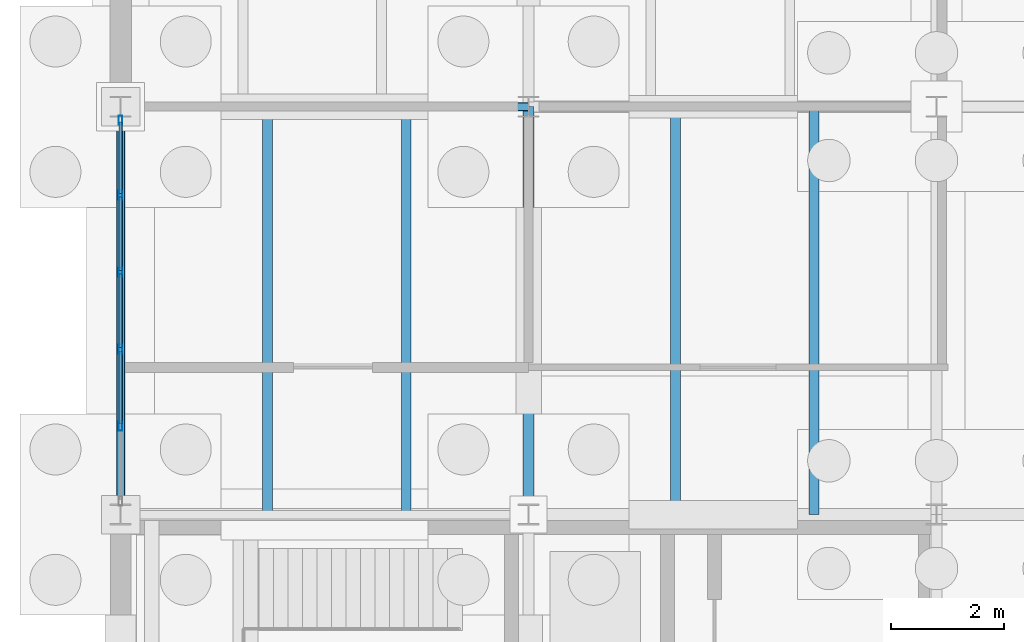
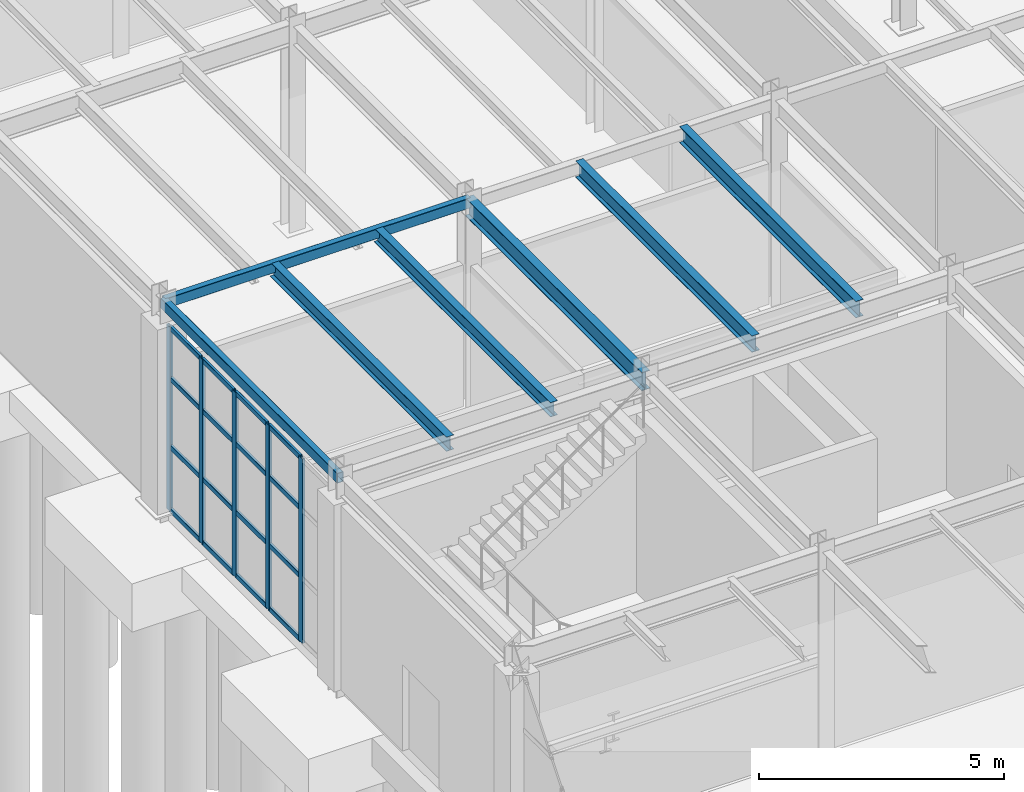
# One storey, part 48 of 293: 21 members, 7 beams, 1 element without a shape of its own.
"""IFC4 building model written with IfcOpenShell, lengths in metres."""

from ifc_helpers import new_model, si_unit, direction, frame, origin, origin_2d, place, context, subcontext, project, spatial, hollow_rectangle, i_section, extrude, material, layer, layer_set, material_profile, profile_set, type_object, element, aggregate, save


model = new_model("IFC4")

# Units and contexts
model_context = context("Model", 3, precision=1e-05, world=origin(), true_north=direction((0.0, 1.0)))
body_context = subcontext(model_context, "Body", "Model", "MODEL_VIEW")
ifc_project = project(units=[si_unit("LENGTHUNIT", "METRE"), si_unit("AREAUNIT", "SQUARE_METRE"), si_unit("VOLUMEUNIT", "CUBIC_METRE"), si_unit("PLANEANGLEUNIT", "RADIAN"), si_unit("MASSUNIT", "GRAM", prefix="KILO")], contexts=[model_context])

# Site, building, storey
site_placement = place(None, origin())
site = spatial("IfcSite", under=ifc_project, at=site_placement, CompositionType="ELEMENT")
building_placement = place(site_placement, origin())
building = spatial("IfcBuilding", under=site, at=building_placement, Name="Kemerveld Promenade Tramway Depot", CompositionType="ELEMENT")
storey_placement = place(building_placement, origin())
storey = spatial("IfcBuildingStorey", under=building, at=storey_placement, Name="L00", CompositionType="ELEMENT", Elevation=0.0)

# Beams
ifc_material_1 = material(Name="Steel S355", Category="steel")
ifc_material_profile_1 = material_profile(ifc_material_1, i_section(OverallWidth=0.19140625, OverallDepth=0.4599609375, WebThickness=0.010009765625, FlangeThickness=0.01611328125, FilletRadius=0.01025390625, at=origin_2d()), Name="457x191x82 UB")
ifc_profile_set_1 = profile_set([ifc_material_profile_1], Name="Steel S355")
beam_type_1 = type_object("IfcBeamType", Name="BM-G06", PredefinedType="BEAM", material=ifc_profile_set_1)
beam_1_placement = place(storey_placement, frame((7.199951171875, 21.60009765625, 4.919921875), z_axis=(0.0, 1.0, 0.0), x_axis=(-1.0, 0.0, 0.0)))
element("IfcBeam", 1, at=beam_1_placement, inside=storey, type_object=beam_type_1, Name="BMY-L00-02-D-E", PredefinedType="BEAM", context=body_context, shape_type="SweptSolid", body=[
    extrude(i_section(OverallWidth=0.19140625, OverallDepth=0.4599609375, WebThickness=0.010009765625, FlangeThickness=0.01611328125, FilletRadius=0.01025390625, at=origin_2d()), origin(), (0.0, 0.0, 1.0), 7.199951171875),
])
ifc_material_profile_2 = material_profile(ifc_material_1, hollow_rectangle(XDim=0.14990234375, YDim=0.25, WallThickness=0.010009765625, InnerFilletRadius=0.0048828125, OuterFilletRadius=0.014892578125, at=origin_2d()), Name="250x150x10.0 RHS")
ifc_profile_set_2 = profile_set([ifc_material_profile_2], Name="Steel S355")
beam_type_2 = type_object("IfcBeamType", Name="BM-G17", PredefinedType="BEAM", material=ifc_profile_set_2)
beam_2_placement = place(storey_placement, frame((0.0, 28.800048828125, 5.02490234375), z_axis=(1.0, 0.0, 0.0), x_axis=(0.0, 1.0, 0.0)))
element("IfcBeam", 2, at=beam_2_placement, inside=storey, type_object=beam_type_2, Name="BMX-L00-01-02-E", PredefinedType="BEAM", context=body_context, shape_type="SweptSolid", body=[
    extrude(hollow_rectangle(XDim=0.14990234375, YDim=0.25, WallThickness=0.010009765625, InnerFilletRadius=0.0048828125, OuterFilletRadius=0.014892578125, at=origin_2d()), origin(), (0.0, 0.0, 1.0), 7.199951171875),
])
ifc_material_profile_3 = material_profile(ifc_material_1, i_section(OverallWidth=0.172119140625, OverallDepth=0.35791015625, WebThickness=0.008056640625, FlangeThickness=0.012939453125, FilletRadius=0.01025390625, at=origin_2d()), Name="356x171x57 UB")
ifc_profile_set_3 = profile_set([ifc_material_profile_3], Name="Steel S355")
beam_type_3 = type_object("IfcBeamType", Name="BM-J04", PredefinedType="JOIST", material=ifc_profile_set_3)
for number, where, z_axis, x_axis, name in (
    (3, (2.592041015625, 21.60009765625, 4.970947265625), (0.0, 1.0, 0.0), (-1.0, 0.0, 0.0), "JST-L00-01-D-1"),
    (4, (5.0400390625, 21.60009765625, 4.970947265625), (0.0, 1.0, 0.0), (-1.0, 0.0, 0.0), "JST-L00-01-D-2"),
):
    element("IfcBeam", number, at=place(storey_placement, frame(where, z_axis=z_axis, x_axis=x_axis)), inside=storey, type_object=beam_type_3, Name=name, PredefinedType="JOIST", context=body_context, shape_type="SweptSolid", body=[
        extrude(i_section(OverallWidth=0.172119140625, OverallDepth=0.35791015625, WebThickness=0.008056640625, FlangeThickness=0.012939453125, FilletRadius=0.01025390625, at=origin_2d()), origin(), (0.0, 0.0, 1.0), 7.199951171875),
    ])
ifc_material_profile_4 = material_profile(ifc_material_1, i_section(OverallWidth=0.1787109375, OverallDepth=0.409423828125, WebThickness=0.0087890625, FlangeThickness=0.014404296875, FilletRadius=0.01025390625, at=origin_2d()), Name="406x178x67 UB")
ifc_profile_set_4 = profile_set([ifc_material_profile_4], Name="Steel S355")
beam_type_4 = type_object("IfcBeamType", Name="BM-J05", PredefinedType="JOIST", material=ifc_profile_set_4)
for number, where, z_axis, x_axis, name in (
    (5, (9.7919921875, 21.60009765625, 4.9453125), (0.0, 1.0, 0.0), (-1.0, 0.0, 0.0), "JST-L00-02-D-1"),
    (6, (12.239990234375, 21.60009765625, 4.9453125), (0.0, 1.0, 0.0), (-1.0, 0.0, 0.0), "JST-L00-02-D-2"),
):
    element("IfcBeam", number, at=place(storey_placement, frame(where, z_axis=z_axis, x_axis=x_axis)), inside=storey, type_object=beam_type_4, Name=name, PredefinedType="JOIST", context=body_context, shape_type="SweptSolid", body=[
        extrude(i_section(OverallWidth=0.1787109375, OverallDepth=0.409423828125, WebThickness=0.0087890625, FlangeThickness=0.014404296875, FilletRadius=0.01025390625, at=origin_2d()), origin(), (0.0, 0.0, 1.0), 7.199951171875),
    ])
ifc_material_profile_5 = material_profile(ifc_material_1, hollow_rectangle(XDim=0.14990234375, YDim=0.25, WallThickness=0.010009765625, InnerFilletRadius=0.0048828125, OuterFilletRadius=0.014892578125, at=origin_2d()), Name="250x150x10.0 RHS")
ifc_profile_set_5 = profile_set([ifc_material_profile_5], Name="Steel S355")
beam_type_5 = type_object("IfcBeamType", Name="BM-SP2", PredefinedType="SPANDREL", material=ifc_profile_set_5)
beam_3_placement = place(storey_placement, frame((0.0, 21.60009765625, 5.02490234375), z_axis=(0.0, 1.0, 0.0), x_axis=(-1.0, 0.0, 0.0)))
element("IfcBeam", 7, at=beam_3_placement, inside=storey, type_object=beam_type_5, Name="BMY-L00-01-D-E", PredefinedType="SPANDREL", context=body_context, shape_type="SweptSolid", body=[
    extrude(hollow_rectangle(XDim=0.14990234375, YDim=0.25, WallThickness=0.010009765625, InnerFilletRadius=0.0048828125, OuterFilletRadius=0.014892578125, at=origin_2d()), origin(), (0.0, 0.0, 1.0), 7.199951171875),
])

# Curtain wall, members
ifc_material_2 = material(Name="Bronze anodised aluminium and solar glass", Category="aluminium")
ifc_layer = layer(ifc_material_2, 0.159912109375)
ifc_layer_set = layer_set([ifc_layer], Name="CW-SYS-07")
curtain_wall_type = type_object("IfcCurtainWallType", Name="CW-SYS-07", PredefinedType="USERDEFINED", material=ifc_layer_set)
curtain_wall_placement = place(storey_placement, origin())
curtain_wall = element("IfcCurtainWall", 8, at=curtain_wall_placement, inside=storey, type_object=curtain_wall_type, Name="CW-L00-V5W-04", ObjectType="GLAZED_CURTAIN_WALL", PredefinedType="USERDEFINED")
ifc_material_3 = material(Name="Bronze anodised aluminium", Category="aluminium")
ifc_material_profile_6 = material_profile(ifc_material_3, hollow_rectangle(XDim=0.06494140625, YDim=0.159912109375, WallThickness=0.00390625, InnerFilletRadius=0.001953125, OuterFilletRadius=0.00390625, at=origin_2d()), Name="CW-MUL-160x65")
ifc_profile_set_6 = profile_set([ifc_material_profile_6], Name="Bronze anodised aluminium")
member_type_1 = type_object("IfcMemberType", Name="CW-MUL-A", PredefinedType="MULLION", material=ifc_profile_set_6)
member_1_placement = place(storey_placement, frame((0.0, 23.163818359375, 0.0), z_axis=(0.0, 0.0, 1.0), x_axis=(-1.0, 0.0, 0.0)))
member_1 = element("IfcMember", 9, at=member_1_placement, type_object=member_type_1, Name="CW07 mullion 2", PredefinedType="MULLION", context=body_context, shape_type="SweptSolid", body=[
    extrude(hollow_rectangle(XDim=0.06494140625, YDim=0.159912109375, WallThickness=0.00390625, InnerFilletRadius=0.001953125, OuterFilletRadius=0.00390625, at=origin_2d()), origin(), (0.0, 0.0, 1.0), 4.593505859375),
])
member_2_placement = place(storey_placement, frame((0.0, 24.521240234375, 0.0), z_axis=(0.0, 0.0, 1.0), x_axis=(-1.0, 0.0, 0.0)))
member_2 = element("IfcMember", 10, at=member_2_placement, type_object=member_type_1, Name="CW07 mullion 3", PredefinedType="MULLION", context=body_context, shape_type="SweptSolid", body=[
    extrude(hollow_rectangle(XDim=0.06494140625, YDim=0.159912109375, WallThickness=0.00390625, InnerFilletRadius=0.001953125, OuterFilletRadius=0.00390625, at=origin_2d()), origin(), (0.0, 0.0, 1.0), 4.593505859375),
])
member_3_placement = place(storey_placement, frame((0.0, 25.878662109375, 0.0), z_axis=(0.0, 0.0, 1.0), x_axis=(-1.0, 0.0, 0.0)))
member_3 = element("IfcMember", 11, at=member_3_placement, type_object=member_type_1, Name="CW07 mullion 4", PredefinedType="MULLION", context=body_context, shape_type="SweptSolid", body=[
    extrude(hollow_rectangle(XDim=0.06494140625, YDim=0.159912109375, WallThickness=0.00390625, InnerFilletRadius=0.001953125, OuterFilletRadius=0.00390625, at=origin_2d()), origin(), (0.0, 0.0, 1.0), 4.593505859375),
])
member_4_placement = place(storey_placement, frame((0.0, 27.236328125, 0.0), z_axis=(0.0, 0.0, 1.0), x_axis=(-1.0, 0.0, 0.0)))
member_4 = element("IfcMember", 12, at=member_4_placement, type_object=member_type_1, Name="CW07 mullion 5", PredefinedType="MULLION", context=body_context, shape_type="SweptSolid", body=[
    extrude(hollow_rectangle(XDim=0.06494140625, YDim=0.159912109375, WallThickness=0.00390625, InnerFilletRadius=0.001953125, OuterFilletRadius=0.00390625, at=origin_2d()), origin(), (0.0, 0.0, 1.0), 4.593505859375),
])
member_5_placement = place(storey_placement, frame((0.0, 28.561279296875, 0.0), z_axis=(0.0, 0.0, 1.0), x_axis=(-1.0, 0.0, 0.0)))
member_5 = element("IfcMember", 13, at=member_5_placement, type_object=member_type_1, Name="CW07 mullion 6", PredefinedType="MULLION", context=body_context, shape_type="SweptSolid", body=[
    extrude(hollow_rectangle(XDim=0.06494140625, YDim=0.159912109375, WallThickness=0.00390625, InnerFilletRadius=0.001953125, OuterFilletRadius=0.00390625, at=origin_2d()), origin(), (0.0, 0.0, 1.0), 4.593505859375),
])
ifc_material_profile_7 = material_profile(ifc_material_3, hollow_rectangle(XDim=0.06005859375, YDim=0.1201171875, WallThickness=0.00390625, InnerFilletRadius=0.001953125, OuterFilletRadius=0.00390625, at=origin_2d()), Name="CW-TRN-120x60")
ifc_profile_set_7 = profile_set([ifc_material_profile_7], Name="Bronze anodised aluminium")
member_type_2 = type_object("IfcMemberType", Name="CW-TRN-A", PredefinedType="USERDEFINED", material=ifc_profile_set_7)
member_6_placement = place(storey_placement, frame((0.0, 23.1962890625, 0.030029296875), z_axis=(0.0, 1.0, 0.0), x_axis=(-1.0, 0.0, 0.0)))
member_6 = element("IfcMember", 14, at=member_6_placement, type_object=member_type_2, Name="CW07 transom 2.1", ObjectType="TRANSOM", PredefinedType="USERDEFINED", context=body_context, shape_type="SweptSolid", body=[
    extrude(hollow_rectangle(XDim=0.06005859375, YDim=0.1201171875, WallThickness=0.00390625, InnerFilletRadius=0.001953125, OuterFilletRadius=0.00390625, at=origin_2d()), origin(), (0.0, 0.0, 1.0), 1.29248046875),
])
member_7_placement = place(storey_placement, frame((0.0, 23.1962890625, 1.60791015625), z_axis=(0.0, 1.0, 0.0), x_axis=(-1.0, 0.0, 0.0)))
member_7 = element("IfcMember", 15, at=member_7_placement, type_object=member_type_2, Name="CW07 transom 2.2", ObjectType="TRANSOM", PredefinedType="USERDEFINED", context=body_context, shape_type="SweptSolid", body=[
    extrude(hollow_rectangle(XDim=0.06005859375, YDim=0.1201171875, WallThickness=0.00390625, InnerFilletRadius=0.001953125, OuterFilletRadius=0.00390625, at=origin_2d()), origin(), (0.0, 0.0, 1.0), 1.29248046875),
])
member_8_placement = place(storey_placement, frame((0.0, 23.1962890625, 3.306884765625), z_axis=(0.0, 1.0, 0.0), x_axis=(-1.0, 0.0, 0.0)))
member_8 = element("IfcMember", 16, at=member_8_placement, type_object=member_type_2, Name="CW07 transom 2.3", ObjectType="TRANSOM", PredefinedType="USERDEFINED", context=body_context, shape_type="SweptSolid", body=[
    extrude(hollow_rectangle(XDim=0.06005859375, YDim=0.1201171875, WallThickness=0.00390625, InnerFilletRadius=0.001953125, OuterFilletRadius=0.00390625, at=origin_2d()), origin(), (0.0, 0.0, 1.0), 1.29248046875),
])
member_9_placement = place(storey_placement, frame((0.0, 23.1962890625, 4.5634765625), z_axis=(0.0, 1.0, 0.0), x_axis=(-1.0, 0.0, 0.0)))
member_9 = element("IfcMember", 17, at=member_9_placement, type_object=member_type_2, Name="CW07 transom 2.4", ObjectType="TRANSOM", PredefinedType="USERDEFINED", context=body_context, shape_type="SweptSolid", body=[
    extrude(hollow_rectangle(XDim=0.06005859375, YDim=0.1201171875, WallThickness=0.00390625, InnerFilletRadius=0.001953125, OuterFilletRadius=0.00390625, at=origin_2d()), origin(), (0.0, 0.0, 1.0), 1.29248046875),
])
member_10_placement = place(storey_placement, frame((0.0, 24.5537109375, 0.030029296875), z_axis=(0.0, 1.0, 0.0), x_axis=(-1.0, 0.0, 0.0)))
member_10 = element("IfcMember", 18, at=member_10_placement, type_object=member_type_2, Name="CW07 transom 3.1", ObjectType="TRANSOM", PredefinedType="USERDEFINED", context=body_context, shape_type="SweptSolid", body=[
    extrude(hollow_rectangle(XDim=0.06005859375, YDim=0.1201171875, WallThickness=0.00390625, InnerFilletRadius=0.001953125, OuterFilletRadius=0.00390625, at=origin_2d()), origin(), (0.0, 0.0, 1.0), 1.29248046875),
])
member_11_placement = place(storey_placement, frame((0.0, 24.5537109375, 1.60791015625), z_axis=(0.0, 1.0, 0.0), x_axis=(-1.0, 0.0, 0.0)))
member_11 = element("IfcMember", 19, at=member_11_placement, type_object=member_type_2, Name="CW07 transom 3.2", ObjectType="TRANSOM", PredefinedType="USERDEFINED", context=body_context, shape_type="SweptSolid", body=[
    extrude(hollow_rectangle(XDim=0.06005859375, YDim=0.1201171875, WallThickness=0.00390625, InnerFilletRadius=0.001953125, OuterFilletRadius=0.00390625, at=origin_2d()), origin(), (0.0, 0.0, 1.0), 1.29248046875),
])
member_12_placement = place(storey_placement, frame((0.0, 24.5537109375, 3.306884765625), z_axis=(0.0, 1.0, 0.0), x_axis=(-1.0, 0.0, 0.0)))
member_12 = element("IfcMember", 20, at=member_12_placement, type_object=member_type_2, Name="CW07 transom 3.3", ObjectType="TRANSOM", PredefinedType="USERDEFINED", context=body_context, shape_type="SweptSolid", body=[
    extrude(hollow_rectangle(XDim=0.06005859375, YDim=0.1201171875, WallThickness=0.00390625, InnerFilletRadius=0.001953125, OuterFilletRadius=0.00390625, at=origin_2d()), origin(), (0.0, 0.0, 1.0), 1.29248046875),
])
member_13_placement = place(storey_placement, frame((0.0, 24.5537109375, 4.5634765625), z_axis=(0.0, 1.0, 0.0), x_axis=(-1.0, 0.0, 0.0)))
member_13 = element("IfcMember", 21, at=member_13_placement, type_object=member_type_2, Name="CW07 transom 3.4", ObjectType="TRANSOM", PredefinedType="USERDEFINED", context=body_context, shape_type="SweptSolid", body=[
    extrude(hollow_rectangle(XDim=0.06005859375, YDim=0.1201171875, WallThickness=0.00390625, InnerFilletRadius=0.001953125, OuterFilletRadius=0.00390625, at=origin_2d()), origin(), (0.0, 0.0, 1.0), 1.29248046875),
])
member_14_placement = place(storey_placement, frame((0.0, 25.9111328125, 0.030029296875), z_axis=(0.0, 1.0, 0.0), x_axis=(-1.0, 0.0, 0.0)))
member_14 = element("IfcMember", 22, at=member_14_placement, type_object=member_type_2, Name="CW07 transom 4.1", ObjectType="TRANSOM", PredefinedType="USERDEFINED", context=body_context, shape_type="SweptSolid", body=[
    extrude(hollow_rectangle(XDim=0.06005859375, YDim=0.1201171875, WallThickness=0.00390625, InnerFilletRadius=0.001953125, OuterFilletRadius=0.00390625, at=origin_2d()), origin(), (0.0, 0.0, 1.0), 1.29248046875),
])
member_15_placement = place(storey_placement, frame((0.0, 25.9111328125, 1.60791015625), z_axis=(0.0, 1.0, 0.0), x_axis=(-1.0, 0.0, 0.0)))
member_15 = element("IfcMember", 23, at=member_15_placement, type_object=member_type_2, Name="CW07 transom 4.2", ObjectType="TRANSOM", PredefinedType="USERDEFINED", context=body_context, shape_type="SweptSolid", body=[
    extrude(hollow_rectangle(XDim=0.06005859375, YDim=0.1201171875, WallThickness=0.00390625, InnerFilletRadius=0.001953125, OuterFilletRadius=0.00390625, at=origin_2d()), origin(), (0.0, 0.0, 1.0), 1.29248046875),
])
member_16_placement = place(storey_placement, frame((0.0, 25.9111328125, 3.306884765625), z_axis=(0.0, 1.0, 0.0), x_axis=(-1.0, 0.0, 0.0)))
member_16 = element("IfcMember", 24, at=member_16_placement, type_object=member_type_2, Name="CW07 transom 4.3", ObjectType="TRANSOM", PredefinedType="USERDEFINED", context=body_context, shape_type="SweptSolid", body=[
    extrude(hollow_rectangle(XDim=0.06005859375, YDim=0.1201171875, WallThickness=0.00390625, InnerFilletRadius=0.001953125, OuterFilletRadius=0.00390625, at=origin_2d()), origin(), (0.0, 0.0, 1.0), 1.29248046875),
])
member_17_placement = place(storey_placement, frame((0.0, 25.9111328125, 4.5634765625), z_axis=(0.0, 1.0, 0.0), x_axis=(-1.0, 0.0, 0.0)))
member_17 = element("IfcMember", 25, at=member_17_placement, type_object=member_type_2, Name="CW07 transom 4.4", ObjectType="TRANSOM", PredefinedType="USERDEFINED", context=body_context, shape_type="SweptSolid", body=[
    extrude(hollow_rectangle(XDim=0.06005859375, YDim=0.1201171875, WallThickness=0.00390625, InnerFilletRadius=0.001953125, OuterFilletRadius=0.00390625, at=origin_2d()), origin(), (0.0, 0.0, 1.0), 1.29248046875),
])
member_18_placement = place(storey_placement, frame((0.0, 27.268798828125, 0.030029296875), z_axis=(0.0, 1.0, 0.0), x_axis=(-1.0, 0.0, 0.0)))
member_18 = element("IfcMember", 26, at=member_18_placement, type_object=member_type_2, Name="CW07 transom 5.1", ObjectType="TRANSOM", PredefinedType="USERDEFINED", context=body_context, shape_type="SweptSolid", body=[
    extrude(hollow_rectangle(XDim=0.06005859375, YDim=0.1201171875, WallThickness=0.00390625, InnerFilletRadius=0.001953125, OuterFilletRadius=0.00390625, at=origin_2d()), origin(), (0.0, 0.0, 1.0), 1.260009765625),
])
member_19_placement = place(storey_placement, frame((0.0, 27.268798828125, 1.60791015625), z_axis=(0.0, 1.0, 0.0), x_axis=(-1.0, 0.0, 0.0)))
member_19 = element("IfcMember", 27, at=member_19_placement, type_object=member_type_2, Name="CW07 transom 5.2", ObjectType="TRANSOM", PredefinedType="USERDEFINED", context=body_context, shape_type="SweptSolid", body=[
    extrude(hollow_rectangle(XDim=0.06005859375, YDim=0.1201171875, WallThickness=0.00390625, InnerFilletRadius=0.001953125, OuterFilletRadius=0.00390625, at=origin_2d()), origin(), (0.0, 0.0, 1.0), 1.260009765625),
])
member_20_placement = place(storey_placement, frame((0.0, 27.268798828125, 3.306884765625), z_axis=(0.0, 1.0, 0.0), x_axis=(-1.0, 0.0, 0.0)))
member_20 = element("IfcMember", 28, at=member_20_placement, type_object=member_type_2, Name="CW07 transom 5.3", ObjectType="TRANSOM", PredefinedType="USERDEFINED", context=body_context, shape_type="SweptSolid", body=[
    extrude(hollow_rectangle(XDim=0.06005859375, YDim=0.1201171875, WallThickness=0.00390625, InnerFilletRadius=0.001953125, OuterFilletRadius=0.00390625, at=origin_2d()), origin(), (0.0, 0.0, 1.0), 1.260009765625),
])
member_21_placement = place(storey_placement, frame((0.0, 27.268798828125, 4.5634765625), z_axis=(0.0, 1.0, 0.0), x_axis=(-1.0, 0.0, 0.0)))
member_21 = element("IfcMember", 29, at=member_21_placement, type_object=member_type_2, Name="CW07 transom 5.4", ObjectType="TRANSOM", PredefinedType="USERDEFINED", context=body_context, shape_type="SweptSolid", body=[
    extrude(hollow_rectangle(XDim=0.06005859375, YDim=0.1201171875, WallThickness=0.00390625, InnerFilletRadius=0.001953125, OuterFilletRadius=0.00390625, at=origin_2d()), origin(), (0.0, 0.0, 1.0), 1.260009765625),
])
aggregate(curtain_wall, [member_1, member_2, member_3, member_4, member_5, member_6, member_7, member_8, member_9, member_10, member_11, member_12, member_13, member_14, member_15, member_16, member_17, member_18, member_19, member_20, member_21])

save(model, "model.ifc")
